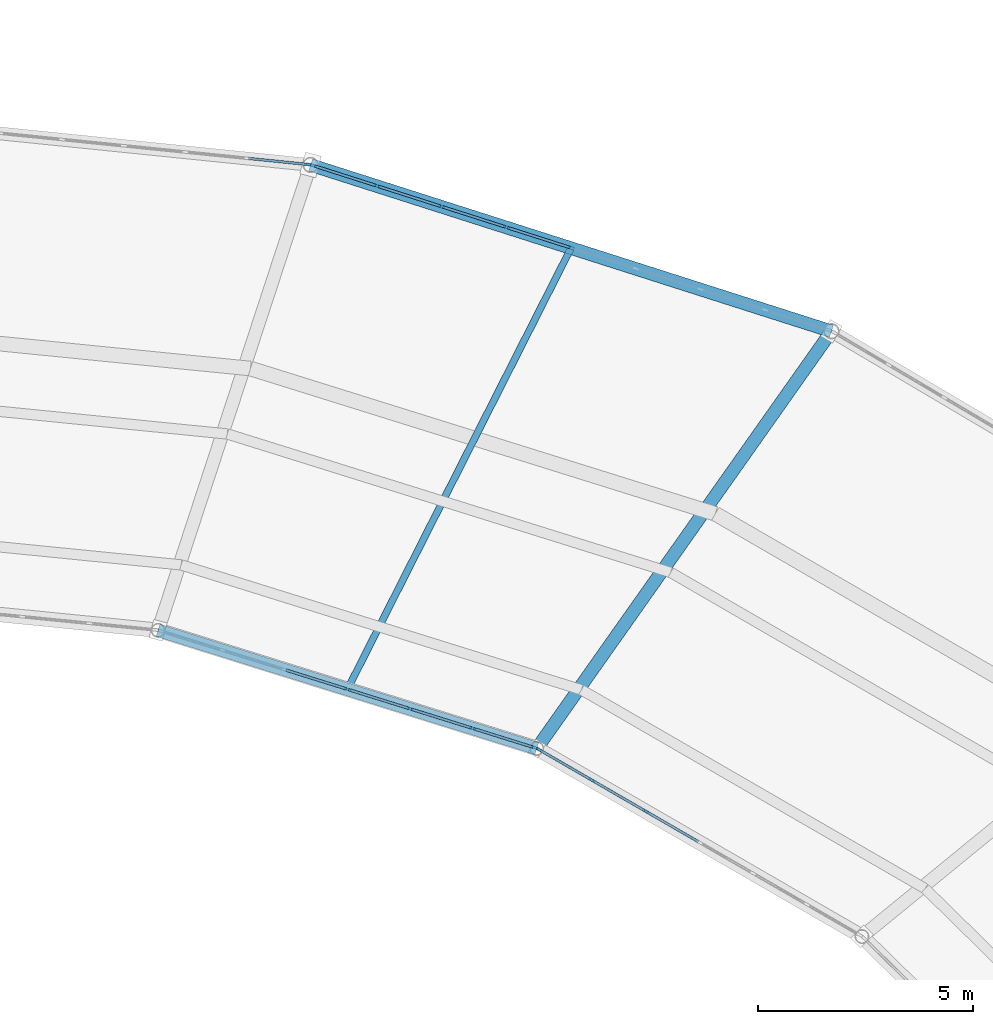
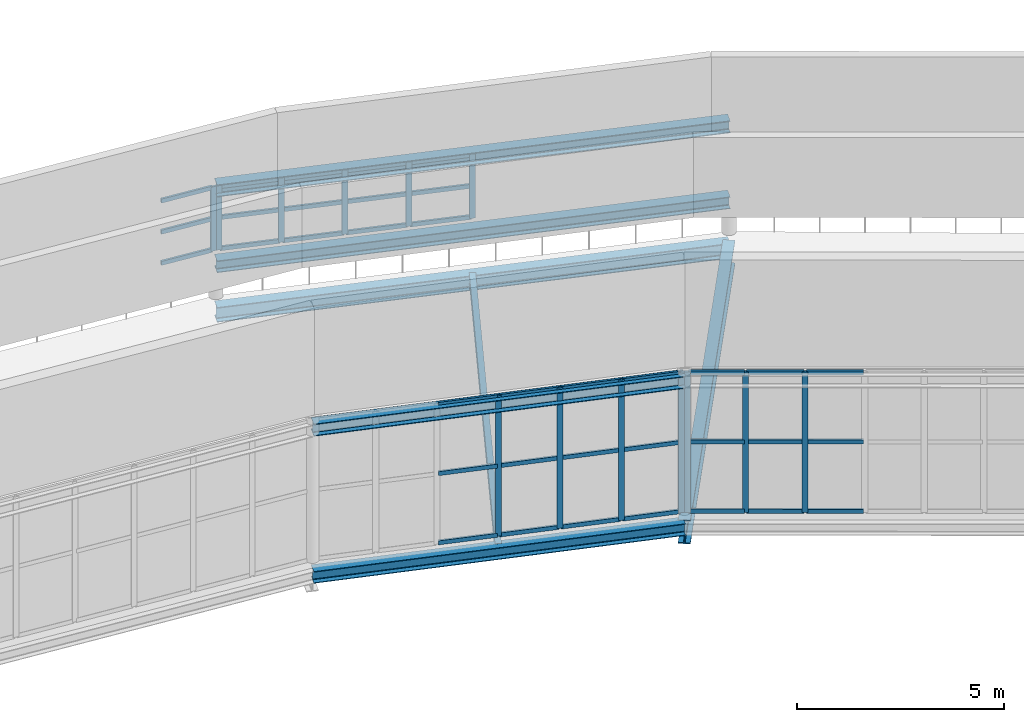
# One storey, part 54 of 123: 49 members, 7 beams, 4 elements without a shape of their own.
"""IFC4 building model written with IfcOpenShell, lengths in metres."""

from ifc_helpers import new_model, si_unit, direction, frame, origin, origin_2d, place, context, subcontext, project, spatial, rectangle, i_section, extrude, material, material_profile, profile_set, type_object, element, aggregate, save


model = new_model("IFC4")

# Units and contexts
model_context = context("Model", 3, precision=1e-05, world=origin(), true_north=direction((0.0, 1.0)))
body_context = subcontext(model_context, "Body", "Model", "MODEL_VIEW")
ifc_project = project(units=[si_unit("LENGTHUNIT", "METRE"), si_unit("AREAUNIT", "SQUARE_METRE"), si_unit("VOLUMEUNIT", "CUBIC_METRE"), si_unit("PLANEANGLEUNIT", "RADIAN"), si_unit("MASSUNIT", "GRAM", prefix="KILO")], contexts=[model_context])

# Site, building, storey
site_placement = place(None, origin())
site = spatial("IfcSite", under=ifc_project, at=site_placement, CompositionType="ELEMENT")
building_placement = place(site_placement, origin())
building = spatial("IfcBuilding", under=site, at=building_placement, Name="Kildeholm Park Wholesale Market", CompositionType="ELEMENT")
storey_placement = place(building_placement, frame((0.0, 0.0, 9.60009765625)))
storey = spatial("IfcBuildingStorey", under=building, at=storey_placement, Name="L02", CompositionType="ELEMENT", Elevation=9.60009765625)

# Beams
ifc_material_1 = material(Name="Steel S355", Category="steel")
ifc_material_profile_1 = material_profile(ifc_material_1, i_section(OverallWidth=0.300048828125, OverallDepth=0.699951171875, WebThickness=0.01708984375, FlangeThickness=0.031982421875, FilletRadius=0.027099609375, at=origin_2d()), Name="HEB 700")
ifc_profile_set_1 = profile_set([ifc_material_profile_1], Name="Steel S355")
beam_type_1 = type_object("IfcBeamType", Name="Beam B-G01 HEB 700", PredefinedType="BEAM", material=ifc_profile_set_1)
beam_1_placement = place(storey_placement, frame((117.25, 113.31591796875, -0.60009765625), z_axis=(0.576894674263, 0.816818544603, 0.0), x_axis=(-0.816818544603, 0.576894674263, 0.0)))
element("IfcBeam", 1, at=beam_1_placement, inside=storey, type_object=beam_type_1, Name="Beam BM-V1-L02-R1-04 BM-0038", PredefinedType="BEAM", context=body_context, shape_type="SweptSolid", body=[
    extrude(i_section(OverallWidth=0.300048828125, OverallDepth=0.699951171875, WebThickness=0.01708984375, FlangeThickness=0.031982421875, FilletRadius=0.027099609375, at=origin_2d()), origin(), (0.0, 0.0, 1.0), 11.8740234375),
])
ifc_material_profile_2 = material_profile(ifc_material_1, i_section(OverallWidth=0.300048828125, OverallDepth=0.35009765625, WebThickness=0.010009765625, FlangeThickness=0.017578125, FilletRadius=0.027099609375, at=origin_2d()), Name="HEA 360")
ifc_profile_set_2 = profile_set([ifc_material_profile_2], Name="Steel S355")
beam_type_2 = type_object("IfcBeamType", Name="Beam B-R01 HEA 360", PredefinedType="BEAM", material=ifc_profile_set_2)
beam_2_placement = place(storey_placement, frame((117.25, 113.31591796875, -0.42919921875), z_axis=(-0.9545990852, 0.297893582568, 0.0), x_axis=(-0.297893582568, -0.9545990852, 0.0)))
element("IfcBeam", 2, at=beam_2_placement, inside=storey, type_object=beam_type_2, Name="Beam BM-V1-L02-CI-04 BM-0043", PredefinedType="BEAM", context=body_context, shape_type="SweptSolid", body=[
    extrude(i_section(OverallWidth=0.300048828125, OverallDepth=0.35009765625, WebThickness=0.010009765625, FlangeThickness=0.017578125, FilletRadius=0.027099609375, at=origin_2d()), origin(), (0.0, 0.0, 1.0), 9.2216796875),
])
beam_3_placement = place(storey_placement, frame((124.10009765625, 123.014892578125, 0.946533203125), z_axis=(-0.952608649326, 0.304198555599, 0.0), x_axis=(-0.304198555599, -0.952608649326, 0.0)))
element("IfcBeam", 3, at=beam_3_placement, inside=storey, type_object=beam_type_2, Name="Beam BM-V1-S1IN-04 BM-0245", PredefinedType="BEAM", context=body_context, shape_type="SweptSolid", body=[
    extrude(i_section(OverallWidth=0.300048828125, OverallDepth=0.35009765625, WebThickness=0.010009765625, FlangeThickness=0.017578125, FilletRadius=0.027099609375, at=origin_2d()), origin(), (0.0, 0.0, 1.0), 12.70947265625),
])
ifc_material_profile_3 = material_profile(ifc_material_1, i_section(OverallWidth=0.300048828125, OverallDepth=0.43994140625, WebThickness=0.011474609375, FlangeThickness=0.02099609375, FilletRadius=0.027099609375, at=origin_2d()), Name="HEA 450")
ifc_profile_set_3 = profile_set([ifc_material_profile_3], Name="Steel S355")
beam_type_3 = type_object("IfcBeamType", Name="Beam B-R02 HEA 450", PredefinedType="BEAM", material=ifc_profile_set_3)
beam_4_placement = place(storey_placement, frame((124.10009765625, 123.014892578125, -0.47412109375), z_axis=(-0.952608649326, 0.304198555599, 0.0), x_axis=(-0.304198555599, -0.952608649326, 0.0)))
element("IfcBeam", 4, at=beam_4_placement, inside=storey, type_object=beam_type_3, Name="Beam BM-V1-L02-CM-04 BM-0044", PredefinedType="BEAM", context=body_context, shape_type="SweptSolid", body=[
    extrude(i_section(OverallWidth=0.300048828125, OverallDepth=0.43994140625, WebThickness=0.011474609375, FlangeThickness=0.02099609375, FilletRadius=0.027099609375, at=origin_2d()), origin(), (0.0, 0.0, 1.0), 12.70947265625),
])
ifc_material_profile_4 = material_profile(ifc_material_1, i_section(OverallWidth=0.300048828125, OverallDepth=0.360107421875, WebThickness=0.012451171875, FlangeThickness=0.0224609375, FilletRadius=0.027099609375, at=origin_2d()), Name="HEB 360")
ifc_profile_set_4 = profile_set([ifc_material_profile_4], Name="Steel S355")
beam_type_4 = type_object("IfcBeamType", Name="Beam B-R03 HEB 360", PredefinedType="BEAM", material=ifc_profile_set_4)
beam_5_placement = place(storey_placement, frame((124.10009765625, 123.014892578125, 3.188720703125), z_axis=(-0.952608649326, 0.304198555599, 0.0), x_axis=(-0.304198555599, -0.952608649326, 0.0)))
element("IfcBeam", 5, at=beam_5_placement, inside=storey, type_object=beam_type_4, Name="Beam BM-V1-RF-M1-04 BM-0246", PredefinedType="BEAM", context=body_context, shape_type="SweptSolid", body=[
    extrude(i_section(OverallWidth=0.300048828125, OverallDepth=0.360107421875, WebThickness=0.012451171875, FlangeThickness=0.0224609375, FilletRadius=0.027099609375, at=origin_2d()), origin(), (0.0, 0.0, 1.0), 12.70947265625),
])
beam_6_placement = place(storey_placement, frame((117.25, 113.31591796875, 3.92041015625), z_axis=(-0.9545990852, 0.297893582568, 0.0), x_axis=(-0.297893582568, -0.9545990852, 0.0)))
element("IfcBeam", 6, at=beam_6_placement, inside=storey, type_object=beam_type_4, Name="Beam BM-V1-RF-IN-04 BM-0247", PredefinedType="BEAM", context=body_context, shape_type="SweptSolid", body=[
    extrude(i_section(OverallWidth=0.300048828125, OverallDepth=0.360107421875, WebThickness=0.012451171875, FlangeThickness=0.0224609375, FilletRadius=0.027099609375, at=origin_2d()), origin(), (0.0, 0.0, 1.0), 9.2216796875),
])
ifc_material_profile_5 = material_profile(ifc_material_1, i_section(OverallWidth=0.159912109375, OverallDepth=0.330078125, WebThickness=0.007568359375, FlangeThickness=0.011474609375, FilletRadius=0.01806640625, at=origin_2d()), Name="IPE 330")
ifc_profile_set_5 = profile_set([ifc_material_profile_5], Name="Steel S355")
beam_type_5 = type_object("IfcBeamType", Name="Beam J-03 IPE 330", PredefinedType="JOIST", material=ifc_profile_set_5)
beam_7_placement = place(storey_placement, frame((112.857421875, 114.707275390625, -0.4150390625), z_axis=(0.452004571782, 0.892015620428, 0.0), x_axis=(-0.892015620428, 0.452004571782, 0.0)))
element("IfcBeam", 7, at=beam_7_placement, inside=storey, type_object=beam_type_5, Name="Beam JT-V1-L02-04 BM-0046", PredefinedType="JOIST", context=body_context, shape_type="SweptSolid", body=[
    extrude(i_section(OverallWidth=0.159912109375, OverallDepth=0.330078125, WebThickness=0.007568359375, FlangeThickness=0.011474609375, FilletRadius=0.01806640625, at=origin_2d()), origin(), (0.0, 0.0, 1.0), 11.46044921875),
])

# Curtain wall, members
ifc_material_2 = material(Name="Anodised aluminium and low-E double-glazed glass", Category="aluminium")
curtain_wall_type = type_object("IfcCurtainWallType", Name="Clerestory daylight stick curtain wall CW-02", PredefinedType="NOTDEFINED", material=ifc_material_2)
curtain_wall_1_placement = place(storey_placement, origin())
curtain_wall_1 = element("IfcCurtainWall", 8, at=curtain_wall_1_placement, inside=storey, type_object=curtain_wall_type, Name="Curtain wall CW-V1-IN2-03 CW-0020", PredefinedType="NOTDEFINED")
ifc_material_3 = material(Name="Anodised aluminium", Category="aluminium")
ifc_material_profile_6 = material_profile(ifc_material_3, rectangle(XDim=0.06005859375, YDim=0.14990234375, at=origin_2d()), Name="CWM 60x150")
ifc_profile_set_6 = profile_set([ifc_material_profile_6], Name="Anodised aluminium")
member_type_1 = type_object("IfcMemberType", Name="Curtain-wall mullion CWM-3 CWM 60x150", PredefinedType="MULLION", material=ifc_profile_set_6)
member_1_placement = place(storey_placement, frame((119.78466796875, 111.855712890625, 0.0), z_axis=(0.0, 0.0, 1.0), x_axis=(-0.500489412982, -0.865742656621, 0.0)))
member_1 = element("IfcMember", 9, at=member_1_placement, type_object=member_type_1, Name="CW-02 mullion 5 MEM-0897", PredefinedType="MULLION", context=body_context, shape_type="SweptSolid", body=[
    extrude(rectangle(XDim=0.06005859375, YDim=0.14990234375, at=origin_2d()), origin(), (0.0, 0.0, 1.0), 4.14990234375),
])
member_2_placement = place(storey_placement, frame((118.536376953125, 112.577392578125, 0.0), z_axis=(0.0, 0.0, 1.0), x_axis=(-0.500489412982, -0.865742656621, 0.0)))
member_2 = element("IfcMember", 10, at=member_2_placement, type_object=member_type_1, Name="CW-02 mullion 6 MEM-0898", PredefinedType="MULLION", context=body_context, shape_type="SweptSolid", body=[
    extrude(rectangle(XDim=0.06005859375, YDim=0.14990234375, at=origin_2d()), origin(), (0.0, 0.0, 1.0), 4.14990234375),
])
member_3_placement = place(storey_placement, frame((117.31396484375, 113.283935546875, 0.0), z_axis=(0.0, 0.0, 1.0), x_axis=(-0.500489412982, -0.865742656621, 0.0)))
member_3 = element("IfcMember", 11, at=member_3_placement, type_object=member_type_1, Name="CW-02 mullion 7 MEM-0899", PredefinedType="MULLION", context=body_context, shape_type="SweptSolid", body=[
    extrude(rectangle(XDim=0.06005859375, YDim=0.14990234375, at=origin_2d()), origin(), (0.0, 0.0, 1.0), 4.14990234375),
])

curtain_wall_2_placement = place(storey_placement, origin())
curtain_wall_2 = element("IfcCurtainWall", 12, at=curtain_wall_2_placement, inside=storey, type_object=curtain_wall_type, Name="Curtain wall CW-V1-CL-04 CW-0022", PredefinedType="NOTDEFINED")
member_4_placement = place(storey_placement, frame((118.048583984375, 124.951904296875, 1.349853515625), z_axis=(0.0, 0.0, 1.0), x_axis=(-0.304206822997, -0.952606009241, 0.0)))
member_4 = element("IfcMember", 13, at=member_4_placement, type_object=member_type_1, Name="CW-02 mullion 5 MEM-0963", PredefinedType="MULLION", context=body_context, shape_type="SweptSolid", body=[
    extrude(rectangle(XDim=0.06005859375, YDim=0.14990234375, at=origin_2d()), origin(), (0.0, 0.0, 1.0), 1.900146484375),
])
member_5_placement = place(storey_placement, frame((116.544677734375, 125.43212890625, 1.349853515625), z_axis=(0.0, 0.0, 1.0), x_axis=(-0.304206822997, -0.952606009241, 0.0)))
member_5 = element("IfcMember", 14, at=member_5_placement, type_object=member_type_1, Name="CW-02 mullion 6 MEM-0964", PredefinedType="MULLION", context=body_context, shape_type="SweptSolid", body=[
    extrude(rectangle(XDim=0.06005859375, YDim=0.14990234375, at=origin_2d()), origin(), (0.0, 0.0, 1.0), 1.900146484375),
])
member_6_placement = place(storey_placement, frame((115.040771484375, 125.91259765625, 1.349853515625), z_axis=(0.0, 0.0, 1.0), x_axis=(-0.304206822997, -0.952606009241, 0.0)))
member_6 = element("IfcMember", 15, at=member_6_placement, type_object=member_type_1, Name="CW-02 mullion 7 MEM-0965", PredefinedType="MULLION", context=body_context, shape_type="SweptSolid", body=[
    extrude(rectangle(XDim=0.06005859375, YDim=0.14990234375, at=origin_2d()), origin(), (0.0, 0.0, 1.0), 1.900146484375),
])
member_7_placement = place(storey_placement, frame((113.536865234375, 126.392822265625, 1.349853515625), z_axis=(0.0, 0.0, 1.0), x_axis=(-0.304206822997, -0.952606009241, 0.0)))
member_7 = element("IfcMember", 16, at=member_7_placement, type_object=member_type_1, Name="CW-02 mullion 8 MEM-0966", PredefinedType="MULLION", context=body_context, shape_type="SweptSolid", body=[
    extrude(rectangle(XDim=0.06005859375, YDim=0.14990234375, at=origin_2d()), origin(), (0.0, 0.0, 1.0), 1.900146484375),
])
member_8_placement = place(storey_placement, frame((112.0615234375, 126.86376953125, 1.349853515625), z_axis=(0.0, 0.0, 1.0), x_axis=(-0.304206822997, -0.952606009241, 0.0)))
member_8 = element("IfcMember", 17, at=member_8_placement, type_object=member_type_1, Name="CW-02 mullion 9 MEM-0967", PredefinedType="MULLION", context=body_context, shape_type="SweptSolid", body=[
    extrude(rectangle(XDim=0.06005859375, YDim=0.14990234375, at=origin_2d()), origin(), (0.0, 0.0, 1.0), 1.900146484375),
])

curtain_wall_3_placement = place(storey_placement, origin())
curtain_wall_3 = element("IfcCurtainWall", 18, at=curtain_wall_3_placement, inside=storey, type_object=curtain_wall_type, Name="Curtain wall CW-V1-IN2-04 CW-0025", PredefinedType="NOTDEFINED")
member_9_placement = place(storey_placement, frame((117.185302734375, 113.33984375, 0.0), z_axis=(0.0, 0.0, 1.0), x_axis=(-0.297957339818, -0.954579186683, 0.0)))
member_9 = element("IfcMember", 19, at=member_9_placement, type_object=member_type_1, Name="CW-02 mullion 1 MEM-1042", PredefinedType="MULLION", context=body_context, shape_type="SweptSolid", body=[
    extrude(rectangle(XDim=0.06005859375, YDim=0.14990234375, at=origin_2d()), origin(), (0.0, 0.0, 1.0), 4.14990234375),
])
member_10_placement = place(storey_placement, frame((115.759521484375, 113.784912109375, 0.0), z_axis=(0.0, 0.0, 1.0), x_axis=(-0.297957339818, -0.954579186683, 0.0)))
member_10 = element("IfcMember", 20, at=member_10_placement, type_object=member_type_1, Name="CW-02 mullion 2 MEM-1043", PredefinedType="MULLION", context=body_context, shape_type="SweptSolid", body=[
    extrude(rectangle(XDim=0.06005859375, YDim=0.14990234375, at=origin_2d()), origin(), (0.0, 0.0, 1.0), 4.14990234375),
])
member_11_placement = place(storey_placement, frame((114.304931640625, 114.239013671875, 0.0), z_axis=(0.0, 0.0, 1.0), x_axis=(-0.297957339818, -0.954579186683, 0.0)))
member_11 = element("IfcMember", 21, at=member_11_placement, type_object=member_type_1, Name="CW-02 mullion 3 MEM-1044", PredefinedType="MULLION", context=body_context, shape_type="SweptSolid", body=[
    extrude(rectangle(XDim=0.06005859375, YDim=0.14990234375, at=origin_2d()), origin(), (0.0, 0.0, 1.0), 4.14990234375),
])
member_12_placement = place(storey_placement, frame((112.8505859375, 114.693115234375, 0.0), z_axis=(0.0, 0.0, 1.0), x_axis=(-0.297957339818, -0.954579186683, 0.0)))
member_12 = element("IfcMember", 22, at=member_12_placement, type_object=member_type_1, Name="CW-02 mullion 4 MEM-1045", PredefinedType="MULLION", context=body_context, shape_type="SweptSolid", body=[
    extrude(rectangle(XDim=0.06005859375, YDim=0.14990234375, at=origin_2d()), origin(), (0.0, 0.0, 1.0), 4.14990234375),
])

# Curtain wall, member
curtain_wall_4_placement = place(storey_placement, origin())
curtain_wall_4 = element("IfcCurtainWall", 23, at=curtain_wall_4_placement, inside=storey, type_object=curtain_wall_type, Name="Curtain wall CW-V1-CL-05 CW-0027", PredefinedType="NOTDEFINED")
member_13_placement = place(storey_placement, frame((111.924072265625, 126.89208984375, 1.349853515625), z_axis=(0.0, 0.0, 1.0), x_axis=(-0.100998628351, -0.994886564926, 0.0)))
member_13 = element("IfcMember", 24, at=member_13_placement, type_object=member_type_1, Name="CW-02 mullion 1 MEM-1108", PredefinedType="MULLION", context=body_context, shape_type="SweptSolid", body=[
    extrude(rectangle(XDim=0.06005859375, YDim=0.14990234375, at=origin_2d()), origin(), (0.0, 0.0, 1.0), 1.900146484375),
])

# Member
ifc_material_profile_7 = material_profile(ifc_material_3, rectangle(XDim=0.06005859375, YDim=0.1201171875, at=origin_2d()), Name="CWT 60x120")
ifc_profile_set_7 = profile_set([ifc_material_profile_7], Name="Anodised aluminium")
member_type_2 = type_object("IfcMemberType", Name="Curtain-wall transom CWT-3 CWT 60x120", PredefinedType="USERDEFINED", material=ifc_profile_set_7)
member_14_placement = place(storey_placement, frame((121.007080078125, 111.14892578125, 0.02978515625), z_axis=(-0.865764729264, 0.500451229954, 0.0), x_axis=(-0.500451229954, -0.865764729264, 0.0)))
member_14 = element("IfcMember", 25, at=member_14_placement, type_object=member_type_2, Name="CW-02 transom 4.1 MEM-0909", ObjectType="TRANSOM", PredefinedType="USERDEFINED", context=body_context, shape_type="SweptSolid", body=[
    extrude(rectangle(XDim=0.06005859375, YDim=0.1201171875, at=origin_2d()), origin(), (0.0, 0.0, 1.0), 1.382080078125),
])

member_15_placement = place(storey_placement, frame((121.007080078125, 111.14892578125, 2.074951171875), z_axis=(-0.865764729264, 0.500451229954, 0.0), x_axis=(-0.500451229954, -0.865764729264, 0.0)))
member_15 = element("IfcMember", 26, at=member_15_placement, type_object=member_type_2, Name="CW-02 transom 4.2 MEM-0910", ObjectType="TRANSOM", PredefinedType="USERDEFINED", context=body_context, shape_type="SweptSolid", body=[
    extrude(rectangle(XDim=0.06005859375, YDim=0.1201171875, at=origin_2d()), origin(), (0.0, 0.0, 1.0), 1.382080078125),
])

member_16_placement = place(storey_placement, frame((121.007080078125, 111.14892578125, 4.119873046875), z_axis=(-0.865764729264, 0.500451229954, 0.0), x_axis=(-0.500451229954, -0.865764729264, 0.0)))
member_16 = element("IfcMember", 27, at=member_16_placement, type_object=member_type_2, Name="CW-02 transom 4.3 MEM-0911", ObjectType="TRANSOM", PredefinedType="USERDEFINED", context=body_context, shape_type="SweptSolid", body=[
    extrude(rectangle(XDim=0.06005859375, YDim=0.1201171875, at=origin_2d()), origin(), (0.0, 0.0, 1.0), 1.382080078125),
])

member_17_placement = place(storey_placement, frame((119.7587890625, 111.87060546875, 0.02978515625), z_axis=(-0.865764729264, 0.500451229954, 0.0), x_axis=(-0.500451229954, -0.865764729264, 0.0)))
member_17 = element("IfcMember", 28, at=member_17_placement, type_object=member_type_2, Name="CW-02 transom 5.1 MEM-0912", ObjectType="TRANSOM", PredefinedType="USERDEFINED", context=body_context, shape_type="SweptSolid", body=[
    extrude(rectangle(XDim=0.06005859375, YDim=0.1201171875, at=origin_2d()), origin(), (0.0, 0.0, 1.0), 1.382080078125),
])

member_18_placement = place(storey_placement, frame((119.7587890625, 111.87060546875, 2.074951171875), z_axis=(-0.865764729264, 0.500451229954, 0.0), x_axis=(-0.500451229954, -0.865764729264, 0.0)))
member_18 = element("IfcMember", 29, at=member_18_placement, type_object=member_type_2, Name="CW-02 transom 5.2 MEM-0913", ObjectType="TRANSOM", PredefinedType="USERDEFINED", context=body_context, shape_type="SweptSolid", body=[
    extrude(rectangle(XDim=0.06005859375, YDim=0.1201171875, at=origin_2d()), origin(), (0.0, 0.0, 1.0), 1.382080078125),
])

member_19_placement = place(storey_placement, frame((119.7587890625, 111.87060546875, 4.119873046875), z_axis=(-0.865764729264, 0.500451229954, 0.0), x_axis=(-0.500451229954, -0.865764729264, 0.0)))
member_19 = element("IfcMember", 30, at=member_19_placement, type_object=member_type_2, Name="CW-02 transom 5.3 MEM-0914", ObjectType="TRANSOM", PredefinedType="USERDEFINED", context=body_context, shape_type="SweptSolid", body=[
    extrude(rectangle(XDim=0.06005859375, YDim=0.1201171875, at=origin_2d()), origin(), (0.0, 0.0, 1.0), 1.382080078125),
])

member_20_placement = place(storey_placement, frame((118.51025390625, 112.59228515625, 0.02978515625), z_axis=(-0.865698151159, 0.500566390282, 0.0), x_axis=(-0.500566390282, -0.865698151159, 0.0)))
member_20 = element("IfcMember", 31, at=member_20_placement, type_object=member_type_2, Name="CW-02 transom 6.1 MEM-0915", ObjectType="TRANSOM", PredefinedType="USERDEFINED", context=body_context, shape_type="SweptSolid", body=[
    extrude(rectangle(XDim=0.06005859375, YDim=0.1201171875, at=origin_2d()), origin(), (0.0, 0.0, 1.0), 1.35205078125),
])

member_21_placement = place(storey_placement, frame((118.51025390625, 112.59228515625, 2.074951171875), z_axis=(-0.865698151159, 0.500566390282, 0.0), x_axis=(-0.500566390282, -0.865698151159, 0.0)))
member_21 = element("IfcMember", 32, at=member_21_placement, type_object=member_type_2, Name="CW-02 transom 6.2 MEM-0916", ObjectType="TRANSOM", PredefinedType="USERDEFINED", context=body_context, shape_type="SweptSolid", body=[
    extrude(rectangle(XDim=0.06005859375, YDim=0.1201171875, at=origin_2d()), origin(), (0.0, 0.0, 1.0), 1.35205078125),
])

member_22_placement = place(storey_placement, frame((118.51025390625, 112.59228515625, 4.119873046875), z_axis=(-0.865698151159, 0.500566390282, 0.0), x_axis=(-0.500566390282, -0.865698151159, 0.0)))
member_22 = element("IfcMember", 33, at=member_22_placement, type_object=member_type_2, Name="CW-02 transom 6.3 MEM-0917", ObjectType="TRANSOM", PredefinedType="USERDEFINED", context=body_context, shape_type="SweptSolid", body=[
    extrude(rectangle(XDim=0.06005859375, YDim=0.1201171875, at=origin_2d()), origin(), (0.0, 0.0, 1.0), 1.35205078125),
])

aggregate(curtain_wall_1, [member_1, member_2, member_3, member_14, member_15, member_16, member_17, member_18, member_19, member_20, member_21, member_22])

member_23_placement = place(storey_placement, frame((118.02001953125, 124.961181640625, 1.3798828125), z_axis=(-0.952625522419, 0.304145711849, 0.0), x_axis=(-0.304145711849, -0.952625522419, 0.0)))
member_23 = element("IfcMember", 34, at=member_23_placement, type_object=member_type_2, Name="CW-02 transom 5.1 MEM-0980", ObjectType="TRANSOM", PredefinedType="USERDEFINED", context=body_context, shape_type="SweptSolid", body=[
    extrude(rectangle(XDim=0.06005859375, YDim=0.1201171875, at=origin_2d()), origin(), (0.0, 0.0, 1.0), 1.518798828125),
])

member_24_placement = place(storey_placement, frame((118.02001953125, 124.961181640625, 2.2998046875), z_axis=(-0.952625522419, 0.304145711849, 0.0), x_axis=(-0.304145711849, -0.952625522419, 0.0)))
member_24 = element("IfcMember", 35, at=member_24_placement, type_object=member_type_2, Name="CW-02 transom 5.2 MEM-0981", ObjectType="TRANSOM", PredefinedType="USERDEFINED", context=body_context, shape_type="SweptSolid", body=[
    extrude(rectangle(XDim=0.06005859375, YDim=0.1201171875, at=origin_2d()), origin(), (0.0, 0.0, 1.0), 1.518798828125),
])

member_25_placement = place(storey_placement, frame((118.02001953125, 124.961181640625, 3.219970703125), z_axis=(-0.952625522419, 0.304145711849, 0.0), x_axis=(-0.304145711849, -0.952625522419, 0.0)))
member_25 = element("IfcMember", 36, at=member_25_placement, type_object=member_type_2, Name="CW-02 transom 5.3 MEM-0982", ObjectType="TRANSOM", PredefinedType="USERDEFINED", context=body_context, shape_type="SweptSolid", body=[
    extrude(rectangle(XDim=0.06005859375, YDim=0.1201171875, at=origin_2d()), origin(), (0.0, 0.0, 1.0), 1.518798828125),
])

member_26_placement = place(storey_placement, frame((116.51611328125, 125.44140625, 1.3798828125), z_axis=(-0.952625522419, 0.304145711849, 0.0), x_axis=(-0.304145711849, -0.952625522419, 0.0)))
member_26 = element("IfcMember", 37, at=member_26_placement, type_object=member_type_2, Name="CW-02 transom 6.1 MEM-0983", ObjectType="TRANSOM", PredefinedType="USERDEFINED", context=body_context, shape_type="SweptSolid", body=[
    extrude(rectangle(XDim=0.06005859375, YDim=0.1201171875, at=origin_2d()), origin(), (0.0, 0.0, 1.0), 1.518798828125),
])

member_27_placement = place(storey_placement, frame((116.51611328125, 125.44140625, 2.2998046875), z_axis=(-0.952625522419, 0.304145711849, 0.0), x_axis=(-0.304145711849, -0.952625522419, 0.0)))
member_27 = element("IfcMember", 38, at=member_27_placement, type_object=member_type_2, Name="CW-02 transom 6.2 MEM-0984", ObjectType="TRANSOM", PredefinedType="USERDEFINED", context=body_context, shape_type="SweptSolid", body=[
    extrude(rectangle(XDim=0.06005859375, YDim=0.1201171875, at=origin_2d()), origin(), (0.0, 0.0, 1.0), 1.518798828125),
])

member_28_placement = place(storey_placement, frame((116.51611328125, 125.44140625, 3.219970703125), z_axis=(-0.952625522419, 0.304145711849, 0.0), x_axis=(-0.304145711849, -0.952625522419, 0.0)))
member_28 = element("IfcMember", 39, at=member_28_placement, type_object=member_type_2, Name="CW-02 transom 6.3 MEM-0985", ObjectType="TRANSOM", PredefinedType="USERDEFINED", context=body_context, shape_type="SweptSolid", body=[
    extrude(rectangle(XDim=0.06005859375, YDim=0.1201171875, at=origin_2d()), origin(), (0.0, 0.0, 1.0), 1.518798828125),
])

member_29_placement = place(storey_placement, frame((115.01220703125, 125.921630859375, 1.3798828125), z_axis=(-0.952625522419, 0.304145711849, 0.0), x_axis=(-0.304145711849, -0.952625522419, 0.0)))
member_29 = element("IfcMember", 40, at=member_29_placement, type_object=member_type_2, Name="CW-02 transom 7.1 MEM-0986", ObjectType="TRANSOM", PredefinedType="USERDEFINED", context=body_context, shape_type="SweptSolid", body=[
    extrude(rectangle(XDim=0.06005859375, YDim=0.1201171875, at=origin_2d()), origin(), (0.0, 0.0, 1.0), 1.518798828125),
])

member_30_placement = place(storey_placement, frame((115.01220703125, 125.921630859375, 2.2998046875), z_axis=(-0.952625522419, 0.304145711849, 0.0), x_axis=(-0.304145711849, -0.952625522419, 0.0)))
member_30 = element("IfcMember", 41, at=member_30_placement, type_object=member_type_2, Name="CW-02 transom 7.2 MEM-0987", ObjectType="TRANSOM", PredefinedType="USERDEFINED", context=body_context, shape_type="SweptSolid", body=[
    extrude(rectangle(XDim=0.06005859375, YDim=0.1201171875, at=origin_2d()), origin(), (0.0, 0.0, 1.0), 1.518798828125),
])

member_31_placement = place(storey_placement, frame((115.01220703125, 125.921630859375, 3.219970703125), z_axis=(-0.952625522419, 0.304145711849, 0.0), x_axis=(-0.304145711849, -0.952625522419, 0.0)))
member_31 = element("IfcMember", 42, at=member_31_placement, type_object=member_type_2, Name="CW-02 transom 7.3 MEM-0988", ObjectType="TRANSOM", PredefinedType="USERDEFINED", context=body_context, shape_type="SweptSolid", body=[
    extrude(rectangle(XDim=0.06005859375, YDim=0.1201171875, at=origin_2d()), origin(), (0.0, 0.0, 1.0), 1.518798828125),
])

member_32_placement = place(storey_placement, frame((113.50830078125, 126.40185546875, 1.3798828125), z_axis=(-0.952608667533, 0.304198498584, 0.0), x_axis=(-0.304198498584, -0.952608667533, 0.0)))
member_32 = element("IfcMember", 43, at=member_32_placement, type_object=member_type_2, Name="CW-02 transom 8.1 MEM-0989", ObjectType="TRANSOM", PredefinedType="USERDEFINED", context=body_context, shape_type="SweptSolid", body=[
    extrude(rectangle(XDim=0.06005859375, YDim=0.1201171875, at=origin_2d()), origin(), (0.0, 0.0, 1.0), 1.48876953125),
])

member_33_placement = place(storey_placement, frame((113.50830078125, 126.40185546875, 2.2998046875), z_axis=(-0.952608667533, 0.304198498584, 0.0), x_axis=(-0.304198498584, -0.952608667533, 0.0)))
member_33 = element("IfcMember", 44, at=member_33_placement, type_object=member_type_2, Name="CW-02 transom 8.2 MEM-0990", ObjectType="TRANSOM", PredefinedType="USERDEFINED", context=body_context, shape_type="SweptSolid", body=[
    extrude(rectangle(XDim=0.06005859375, YDim=0.1201171875, at=origin_2d()), origin(), (0.0, 0.0, 1.0), 1.48876953125),
])

member_34_placement = place(storey_placement, frame((113.50830078125, 126.40185546875, 3.219970703125), z_axis=(-0.952608667533, 0.304198498584, 0.0), x_axis=(-0.304198498584, -0.952608667533, 0.0)))
member_34 = element("IfcMember", 45, at=member_34_placement, type_object=member_type_2, Name="CW-02 transom 8.3 MEM-0991", ObjectType="TRANSOM", PredefinedType="USERDEFINED", context=body_context, shape_type="SweptSolid", body=[
    extrude(rectangle(XDim=0.06005859375, YDim=0.1201171875, at=origin_2d()), origin(), (0.0, 0.0, 1.0), 1.48876953125),
])

aggregate(curtain_wall_2, [member_4, member_5, member_6, member_7, member_8, member_23, member_24, member_25, member_26, member_27, member_28, member_29, member_30, member_31, member_32, member_33, member_34])

member_35_placement = place(storey_placement, frame((117.15673828125, 113.348876953125, 0.02978515625), z_axis=(-0.954570828719, 0.29798411528, 0.0), x_axis=(-0.29798411528, -0.954570828719, 0.0)))
member_35 = element("IfcMember", 46, at=member_35_placement, type_object=member_type_2, Name="CW-02 transom 1.1 MEM-1049", ObjectType="TRANSOM", PredefinedType="USERDEFINED", context=body_context, shape_type="SweptSolid", body=[
    extrude(rectangle(XDim=0.06005859375, YDim=0.1201171875, at=origin_2d()), origin(), (0.0, 0.0, 1.0), 1.433837890625),
])

member_36_placement = place(storey_placement, frame((117.15673828125, 113.348876953125, 2.074951171875), z_axis=(-0.954570828719, 0.29798411528, 0.0), x_axis=(-0.29798411528, -0.954570828719, 0.0)))
member_36 = element("IfcMember", 47, at=member_36_placement, type_object=member_type_2, Name="CW-02 transom 1.2 MEM-1050", ObjectType="TRANSOM", PredefinedType="USERDEFINED", context=body_context, shape_type="SweptSolid", body=[
    extrude(rectangle(XDim=0.06005859375, YDim=0.1201171875, at=origin_2d()), origin(), (0.0, 0.0, 1.0), 1.433837890625),
])

member_37_placement = place(storey_placement, frame((117.15673828125, 113.348876953125, 4.119873046875), z_axis=(-0.954570828719, 0.29798411528, 0.0), x_axis=(-0.29798411528, -0.954570828719, 0.0)))
member_37 = element("IfcMember", 48, at=member_37_placement, type_object=member_type_2, Name="CW-02 transom 1.3 MEM-1051", ObjectType="TRANSOM", PredefinedType="USERDEFINED", context=body_context, shape_type="SweptSolid", body=[
    extrude(rectangle(XDim=0.06005859375, YDim=0.1201171875, at=origin_2d()), origin(), (0.0, 0.0, 1.0), 1.433837890625),
])

member_38_placement = place(storey_placement, frame((115.73095703125, 113.7939453125, 0.02978515625), z_axis=(-0.954595656964, 0.297904568118, 0.0), x_axis=(-0.297904568118, -0.954595656964, 0.0)))
member_38 = element("IfcMember", 49, at=member_38_placement, type_object=member_type_2, Name="CW-02 transom 2.1 MEM-1052", ObjectType="TRANSOM", PredefinedType="USERDEFINED", context=body_context, shape_type="SweptSolid", body=[
    extrude(rectangle(XDim=0.06005859375, YDim=0.1201171875, at=origin_2d()), origin(), (0.0, 0.0, 1.0), 1.463623046875),
])

member_39_placement = place(storey_placement, frame((115.73095703125, 113.7939453125, 2.074951171875), z_axis=(-0.954595656964, 0.297904568118, 0.0), x_axis=(-0.297904568118, -0.954595656964, 0.0)))
member_39 = element("IfcMember", 50, at=member_39_placement, type_object=member_type_2, Name="CW-02 transom 2.2 MEM-1053", ObjectType="TRANSOM", PredefinedType="USERDEFINED", context=body_context, shape_type="SweptSolid", body=[
    extrude(rectangle(XDim=0.06005859375, YDim=0.1201171875, at=origin_2d()), origin(), (0.0, 0.0, 1.0), 1.463623046875),
])

member_40_placement = place(storey_placement, frame((115.73095703125, 113.7939453125, 4.119873046875), z_axis=(-0.954595656964, 0.297904568118, 0.0), x_axis=(-0.297904568118, -0.954595656964, 0.0)))
member_40 = element("IfcMember", 51, at=member_40_placement, type_object=member_type_2, Name="CW-02 transom 2.3 MEM-1054", ObjectType="TRANSOM", PredefinedType="USERDEFINED", context=body_context, shape_type="SweptSolid", body=[
    extrude(rectangle(XDim=0.06005859375, YDim=0.1201171875, at=origin_2d()), origin(), (0.0, 0.0, 1.0), 1.463623046875),
])

member_41_placement = place(storey_placement, frame((114.2763671875, 114.248046875, 0.02978515625), z_axis=(-0.954595656964, 0.297904568118, 0.0), x_axis=(-0.297904568118, -0.954595656964, 0.0)))
member_41 = element("IfcMember", 52, at=member_41_placement, type_object=member_type_2, Name="CW-02 transom 3.1 MEM-1055", ObjectType="TRANSOM", PredefinedType="USERDEFINED", context=body_context, shape_type="SweptSolid", body=[
    extrude(rectangle(XDim=0.06005859375, YDim=0.1201171875, at=origin_2d()), origin(), (0.0, 0.0, 1.0), 1.463623046875),
])

member_42_placement = place(storey_placement, frame((114.2763671875, 114.248046875, 2.074951171875), z_axis=(-0.954595656964, 0.297904568118, 0.0), x_axis=(-0.297904568118, -0.954595656964, 0.0)))
member_42 = element("IfcMember", 53, at=member_42_placement, type_object=member_type_2, Name="CW-02 transom 3.2 MEM-1056", ObjectType="TRANSOM", PredefinedType="USERDEFINED", context=body_context, shape_type="SweptSolid", body=[
    extrude(rectangle(XDim=0.06005859375, YDim=0.1201171875, at=origin_2d()), origin(), (0.0, 0.0, 1.0), 1.463623046875),
])

member_43_placement = place(storey_placement, frame((114.2763671875, 114.248046875, 4.119873046875), z_axis=(-0.954595656964, 0.297904568118, 0.0), x_axis=(-0.297904568118, -0.954595656964, 0.0)))
member_43 = element("IfcMember", 54, at=member_43_placement, type_object=member_type_2, Name="CW-02 transom 3.3 MEM-1057", ObjectType="TRANSOM", PredefinedType="USERDEFINED", context=body_context, shape_type="SweptSolid", body=[
    extrude(rectangle(XDim=0.06005859375, YDim=0.1201171875, at=origin_2d()), origin(), (0.0, 0.0, 1.0), 1.463623046875),
])

member_44_placement = place(storey_placement, frame((112.82177734375, 114.701904296875, 0.02978515625), z_axis=(-0.954595656964, 0.297904568118, 0.0), x_axis=(-0.297904568118, -0.954595656964, 0.0)))
member_44 = element("IfcMember", 55, at=member_44_placement, type_object=member_type_2, Name="CW-02 transom 4.1 MEM-1058", ObjectType="TRANSOM", PredefinedType="USERDEFINED", context=body_context, shape_type="SweptSolid", body=[
    extrude(rectangle(XDim=0.06005859375, YDim=0.1201171875, at=origin_2d()), origin(), (0.0, 0.0, 1.0), 1.463623046875),
])

member_45_placement = place(storey_placement, frame((112.82177734375, 114.701904296875, 2.074951171875), z_axis=(-0.954595656964, 0.297904568118, 0.0), x_axis=(-0.297904568118, -0.954595656964, 0.0)))
member_45 = element("IfcMember", 56, at=member_45_placement, type_object=member_type_2, Name="CW-02 transom 4.2 MEM-1059", ObjectType="TRANSOM", PredefinedType="USERDEFINED", context=body_context, shape_type="SweptSolid", body=[
    extrude(rectangle(XDim=0.06005859375, YDim=0.1201171875, at=origin_2d()), origin(), (0.0, 0.0, 1.0), 1.463623046875),
])

member_46_placement = place(storey_placement, frame((112.82177734375, 114.701904296875, 4.119873046875), z_axis=(-0.954595656964, 0.297904568118, 0.0), x_axis=(-0.297904568118, -0.954595656964, 0.0)))
member_46 = element("IfcMember", 57, at=member_46_placement, type_object=member_type_2, Name="CW-02 transom 4.3 MEM-1060", ObjectType="TRANSOM", PredefinedType="USERDEFINED", context=body_context, shape_type="SweptSolid", body=[
    extrude(rectangle(XDim=0.06005859375, YDim=0.1201171875, at=origin_2d()), origin(), (0.0, 0.0, 1.0), 1.463623046875),
])

aggregate(curtain_wall_3, [member_9, member_10, member_11, member_12, member_35, member_36, member_37, member_38, member_39, member_40, member_41, member_42, member_43, member_44, member_45, member_46])

member_47_placement = place(storey_placement, frame((111.894287109375, 126.89501953125, 1.3798828125), z_axis=(-0.994874996086, 0.101112522288, 0.0), x_axis=(-0.101112522288, -0.994874996086, 0.0)))
member_47 = element("IfcMember", 58, at=member_47_placement, type_object=member_type_2, Name="CW-02 transom 1.1 MEM-1118", ObjectType="TRANSOM", PredefinedType="USERDEFINED", context=body_context, shape_type="SweptSolid", body=[
    extrude(rectangle(XDim=0.06005859375, YDim=0.1201171875, at=origin_2d()), origin(), (0.0, 0.0, 1.0), 1.35205078125),
])

member_48_placement = place(storey_placement, frame((111.894287109375, 126.89501953125, 2.2998046875), z_axis=(-0.994874996086, 0.101112522288, 0.0), x_axis=(-0.101112522288, -0.994874996086, 0.0)))
member_48 = element("IfcMember", 59, at=member_48_placement, type_object=member_type_2, Name="CW-02 transom 1.2 MEM-1119", ObjectType="TRANSOM", PredefinedType="USERDEFINED", context=body_context, shape_type="SweptSolid", body=[
    extrude(rectangle(XDim=0.06005859375, YDim=0.1201171875, at=origin_2d()), origin(), (0.0, 0.0, 1.0), 1.35205078125),
])

member_49_placement = place(storey_placement, frame((111.894287109375, 126.89501953125, 3.219970703125), z_axis=(-0.994874996086, 0.101112522288, 0.0), x_axis=(-0.101112522288, -0.994874996086, 0.0)))
member_49 = element("IfcMember", 60, at=member_49_placement, type_object=member_type_2, Name="CW-02 transom 1.3 MEM-1120", ObjectType="TRANSOM", PredefinedType="USERDEFINED", context=body_context, shape_type="SweptSolid", body=[
    extrude(rectangle(XDim=0.06005859375, YDim=0.1201171875, at=origin_2d()), origin(), (0.0, 0.0, 1.0), 1.35205078125),
])

aggregate(curtain_wall_4, [member_13, member_47, member_48, member_49])

save(model, "model.ifc")
